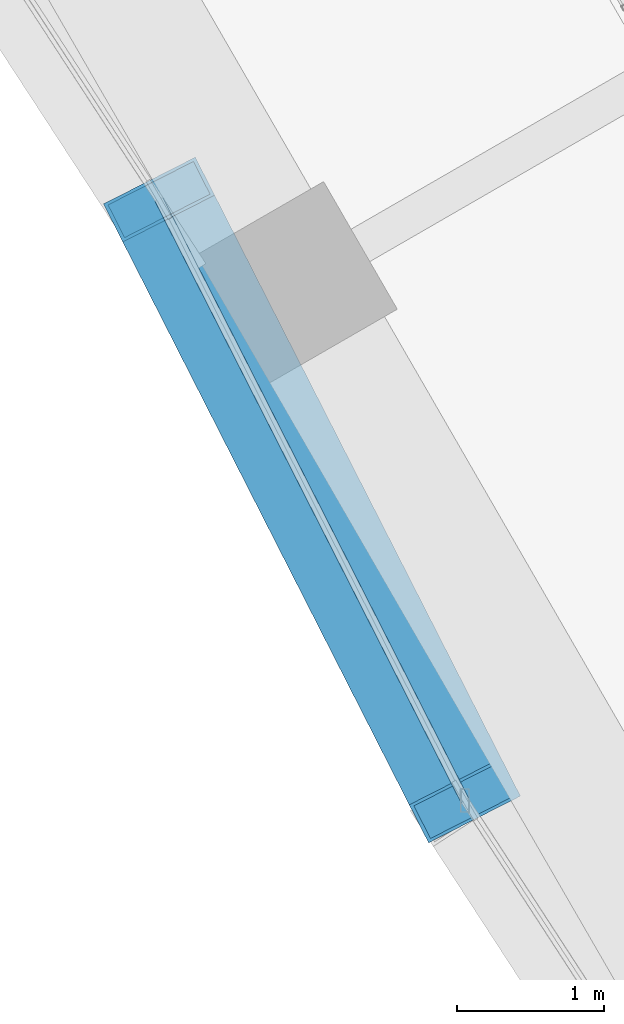
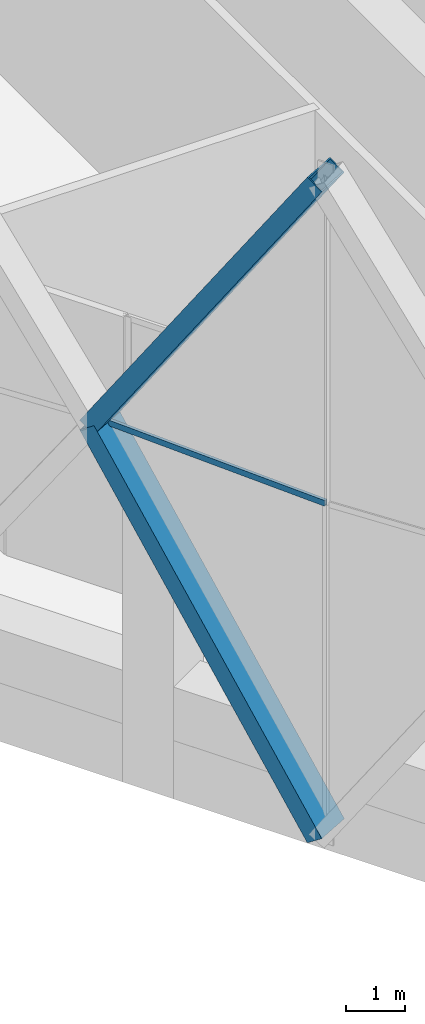
# One storey, part 4 of 43: 3 members, 1 element without a shape of its own.
"""IFC4 building model written with IfcOpenShell, lengths in metres."""

from ifc_helpers import new_model, si_unit, direction, frame, origin, origin_2d, place, context, subcontext, project, spatial, hollow_rectangle, extrude, material, material_profile, profile_set, type_object, element, aggregate, save


model = new_model("IFC4")

# Units and contexts
model_context = context("Model", 3, precision=1e-05, world=origin(), true_north=direction((0.0, 1.0)))
body_context = subcontext(model_context, "Body", "Model", "MODEL_VIEW")
ifc_project = project(units=[si_unit("LENGTHUNIT", "METRE"), si_unit("AREAUNIT", "SQUARE_METRE"), si_unit("VOLUMEUNIT", "CUBIC_METRE"), si_unit("PLANEANGLEUNIT", "RADIAN"), si_unit("MASSUNIT", "GRAM", prefix="KILO")], contexts=[model_context])

# Site, building, storey
site_placement = place(None, origin())
site = spatial("IfcSite", under=ifc_project, at=site_placement, CompositionType="ELEMENT")
building_placement = place(site_placement, origin())
building = spatial("IfcBuilding", under=site, at=building_placement, Name="Ostrander Bayou Hotel Tower", CompositionType="ELEMENT")
storey_placement = place(building_placement, frame((0.0, 0.0, 151.0)))
storey = spatial("IfcBuildingStorey", under=building, at=storey_placement, Name="L37", CompositionType="ELEMENT", Elevation=151.0)

# Curtain wall, member
ifc_material_1 = material(Name="Aluminium and clear glass", Category="aluminium")
curtain_wall_type = type_object("IfcCurtainWallType", Name="CW-LAT lattice glazing", PredefinedType="NOTDEFINED", material=ifc_material_1)
curtain_wall_placement = place(storey_placement, origin())
curtain_wall = element("IfcCurtainWall", 1, at=curtain_wall_placement, inside=storey, type_object=curtain_wall_type, Name="CW-LAT L37 SW 2", PredefinedType="NOTDEFINED")
ifc_material_2 = material(Name="Aluminium", Category="aluminium")
ifc_material_profile_1 = material_profile(ifc_material_2, hollow_rectangle(XDim=0.06005859375, YDim=0.1201171875, WallThickness=0.00390625, at=origin_2d()))
ifc_profile_set_1 = profile_set([ifc_material_profile_1], Name="Aluminium")
member_type_1 = type_object("IfcMemberType", Name="CW-LA transom 60 x 120 mm", PredefinedType="USERDEFINED", material=ifc_profile_set_1)
member_placement = place(storey_placement, frame((-16.51513671875, -9.534912109375, 6.14990234375), z_axis=(-0.453580617967, 0.891215250658, 0.0), x_axis=(-0.891215250658, -0.453580617967, 0.0)))
member = element("IfcMember", 2, at=member_placement, type_object=member_type_1, Name="CW-LAT transom 6", ObjectType="TRANSOM", PredefinedType="USERDEFINED", context=body_context, shape_type="SweptSolid", body=[
    extrude(hollow_rectangle(XDim=0.06005859375, YDim=0.1201171875, WallThickness=0.00390625, at=origin_2d()), origin(), (0.0, 0.0, 1.0), 4.577880859375),
])
aggregate(curtain_wall, [member])

# Members
ifc_material_3 = material(Name="Steel ASTM A572 Gr 50", Category="steel")
ifc_material_profile_2 = material_profile(ifc_material_3, hollow_rectangle(XDim=0.699951171875, YDim=0.35009765625, WallThickness=0.02490234375, at=origin_2d()))
ifc_profile_set_2 = profile_set([ifc_material_profile_2], Name="Steel ASTM A572 Gr 50")
member_type_2 = type_object("IfcMemberType", Name="LT1 lattice member box 700 x 350 x 25 mm", PredefinedType="BRACE", material=ifc_profile_set_2)
for number, where, z_axis, x_axis, name in (
    (3, (-18.591552734375, -5.455078125, 6.14990234375), (0.25459000804, -0.500229703041, -0.827619581693), (0.891215250658, 0.453580617967, 0.0), "LT1 L37 SW 3"),
    (4, (-18.591552734375, -5.455078125, 6.14990234375), (0.25459000804, -0.500229703041, 0.827619581693), (0.891215250658, 0.453580617967, 0.0), "LT1 L37 SW 4"),
):
    element("IfcMember", number, at=place(storey_placement, frame(where, z_axis=z_axis, x_axis=x_axis)), inside=storey, type_object=member_type_2, Name=name, PredefinedType="BRACE", context=body_context, shape_type="SweptSolid", body=[
        extrude(hollow_rectangle(XDim=0.699951171875, YDim=0.35009765625, WallThickness=0.02490234375, at=origin_2d()), origin(), (0.0, 0.0, 1.0), 8.156005859375),
    ])

save(model, "model.ifc")
